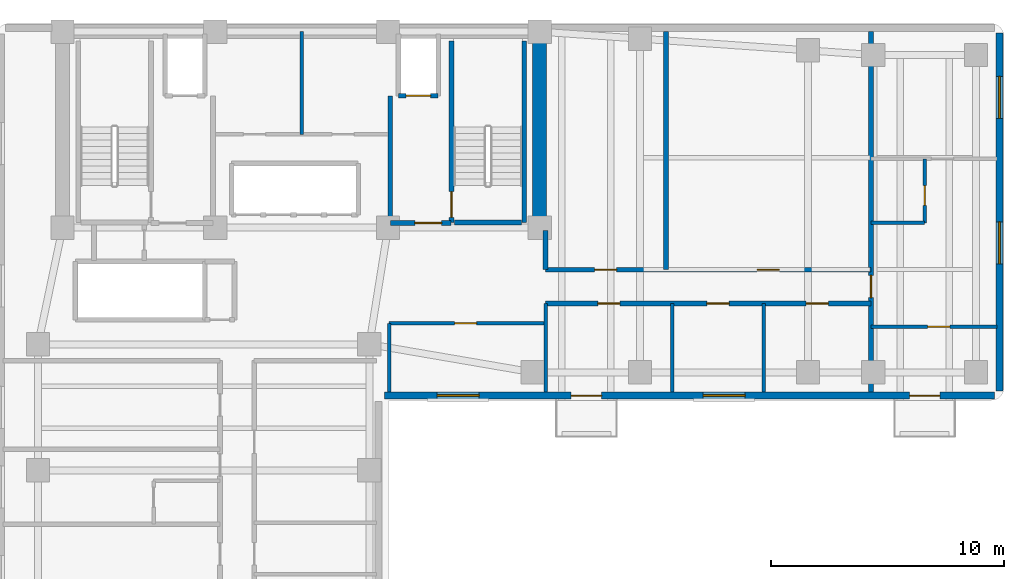
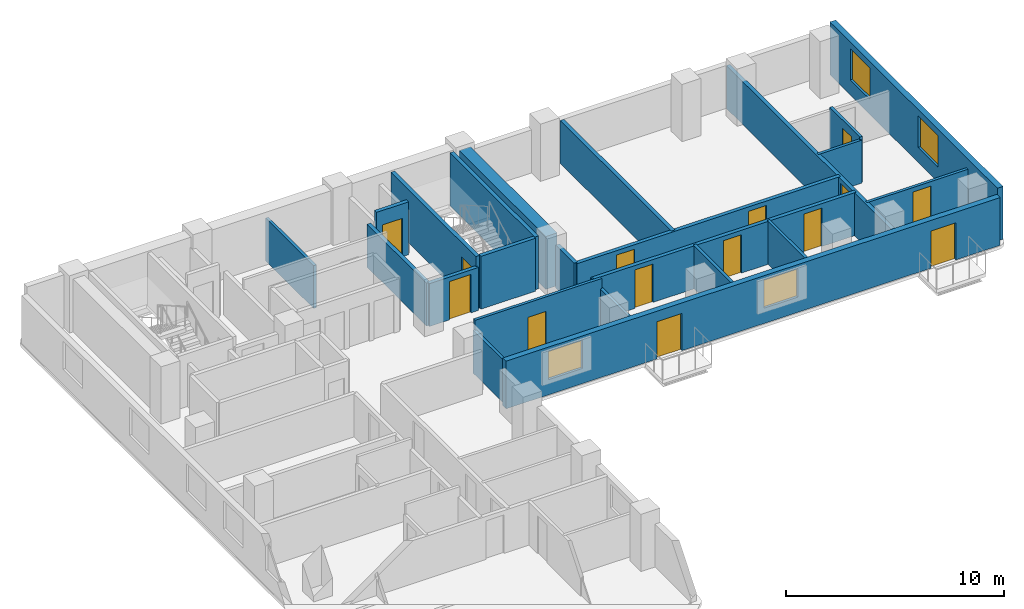
# One storey, part 4 of 7: 23 walls, 14 doors, 4 windows, 18 openings.
"""IFC4 building model written with IfcOpenShell, lengths in metres."""

from ifc_helpers import new_model, si_unit, direction, frame, frame_2d, origin, place, context, subcontext, project, spatial, rectangle, extrude, material, layer, layer_set, type_object, element, fill, save


model = new_model("IFC4")

# Units and contexts
model_context = context("Model", 3, precision=1e-05, world=origin(), true_north=direction((0.0, 1.0)))
body_context = subcontext(model_context, "Body", "Model", "MODEL_VIEW")
ifc_project = project(units=[si_unit("LENGTHUNIT", "METRE"), si_unit("AREAUNIT", "SQUARE_METRE"), si_unit("VOLUMEUNIT", "CUBIC_METRE"), si_unit("PLANEANGLEUNIT", "RADIAN"), si_unit("MASSUNIT", "GRAM", prefix="KILO")], contexts=[model_context])

# Site, building, storey
site_placement = place(None, origin())
site = spatial("IfcSite", under=ifc_project, at=site_placement, CompositionType="ELEMENT")
building_placement = place(site_placement, origin())
building = spatial("IfcBuilding", under=site, at=building_placement, Name="Kuzgunbayir Cultural Tower", CompositionType="ELEMENT")
storey_placement = place(building_placement, frame((0.0, 0.0, 149.0)))
storey = spatial("IfcBuildingStorey", under=building, at=storey_placement, Name="L43", CompositionType="ELEMENT", Elevation=149.0)

# Wall
ifc_material_1 = material(Name="Concrete C60/75", Category="concrete")
ifc_layer_1 = layer(ifc_material_1, 0.60009765625)
ifc_layer_set_1 = layer_set([ifc_layer_1], Name="Concrete C60/75")
wall_type_1 = type_object("IfcWallType", Name="WAL-CORE-600", PredefinedType="SHEAR", material=ifc_layer_set_1)
wall_1_placement = place(storey_placement, frame((26.89990234375, 33.800048828125, 0.0), z_axis=(0.0, 0.0, 1.0), x_axis=(0.0, 1.0, 0.0)))
element("IfcWall", 1, at=wall_1_placement, inside=storey, type_object=wall_type_1, Name="L43 T1 Core East Shear Wall", PredefinedType="SHEAR", context=body_context, shape_type="SweptSolid", body=[
    extrude(rectangle(XDim=7.949951171875, YDim=0.60009765625, at=frame_2d((3.97509765625, 0.0))), origin(), (0.0, 0.0, 1.0), 2.9599609375),
])

# Wall, openings, doors, windows
ifc_material_2 = material(Name="Anatolian Cream Limestone", Category="masonry")
ifc_layer_2 = layer(ifc_material_2, 0.300048828125)
ifc_layer_set_2 = layer_set([ifc_layer_2], Name="Anatolian Cream Limestone")
wall_type_2 = type_object("IfcWallType", Name="WAL-EXT-STONE-300", PredefinedType="STANDARD", material=ifc_layer_set_2)
wall_2_placement = place(storey_placement, frame((20.25, 26.60009765625, 0.0), z_axis=(0.0, 0.0, 1.0), x_axis=(1.0, 0.0, 0.0)))
wall_2 = element("IfcWall", 2, at=wall_2_placement, inside=storey, type_object=wall_type_2, Name="L43 Wing B South Limestone Wall", PredefinedType="STANDARD", context=body_context, shape_type="SweptSolid", body=[
    extrude(rectangle(XDim=26.14990234375, YDim=0.300048828125, at=frame_2d((13.074951171875, 0.0))), origin(), (0.0, 0.0, 1.0), 2.669921875),
])
opening_1_placement = place(wall_2_placement, frame((8.0, 0.0, 0.0)))
opening_1 = element("IfcOpeningElement", 3, at=opening_1_placement, cuts=wall_2, Name="Opening BD-13", PredefinedType="OPENING", context=body_context, shape_type="SweptSolid", body=[
    extrude(rectangle(XDim=1.300048828125, YDim=2.080078125, at=frame_2d((0.64990234375, 1.0400390625))), frame((0.0, 0.16015625, 0.0), z_axis=(0.0, -1.0, 0.0), x_axis=(1.0, 0.0, 0.0)), (0.0, 0.0, 1.0), 0.320068359375),
])
opening_2_placement = place(wall_2_placement, frame((22.5, 0.0, 0.0)))
opening_2 = element("IfcOpeningElement", 4, at=opening_2_placement, cuts=wall_2, Name="Opening BD-13", PredefinedType="OPENING", context=body_context, shape_type="SweptSolid", body=[
    extrude(rectangle(XDim=1.300048828125, YDim=2.080078125, at=frame_2d((0.64990234375, 1.0400390625))), frame((0.0, 0.16015625, 0.0), z_axis=(0.0, -1.0, 0.0), x_axis=(1.0, 0.0, 0.0)), (0.0, 0.0, 1.0), 0.320068359375),
])
opening_3_placement = place(wall_2_placement, frame((2.25, 0.0, 0.85009765625)))
opening_3 = element("IfcOpeningElement", 5, at=opening_3_placement, cuts=wall_2, Name="Opening WH-18", PredefinedType="OPENING", context=body_context, shape_type="SweptSolid", body=[
    extrude(rectangle(XDim=1.800048828125, YDim=1.570068359375, at=frame_2d((0.89990234375, 0.78515625))), frame((0.0, 0.16015625, 0.0), z_axis=(0.0, -1.0, 0.0), x_axis=(1.0, 0.0, 0.0)), (0.0, 0.0, 1.0), 0.320068359375),
])
opening_4_placement = place(wall_2_placement, frame((13.64990234375, 0.0, 0.85009765625)))
opening_4 = element("IfcOpeningElement", 6, at=opening_4_placement, cuts=wall_2, Name="Opening WH-18", PredefinedType="OPENING", context=body_context, shape_type="SweptSolid", body=[
    extrude(rectangle(XDim=1.800048828125, YDim=1.570068359375, at=frame_2d((0.89990234375, 0.78515625))), frame((0.0, 0.16015625, 0.0), z_axis=(0.0, -1.0, 0.0), x_axis=(1.0, 0.0, 0.0)), (0.0, 0.0, 1.0), 0.320068359375),
])
ifc_material_3 = material(Name="Thermally Broken Glazed Aluminium", Category="aluminium")
door_type_1 = type_object("IfcDoorType", Name="DR-BALCONY-135", OperationType="SLIDING_TO_LEFT", PredefinedType="DOOR", material=ifc_material_3)
door_1_placement = place(opening_1_placement, origin())
door_1 = element("IfcDoor", 7, at=door_1_placement, inside=storey, type_object=door_type_1, Name="L43 South Balcony Sliding Door BAL-L43-WB1", OperationType="SLIDING_TO_LEFT", OverallHeight=2.080078125, OverallWidth=1.300048828125, PredefinedType="DOOR", context=body_context, shape_type="SweptSolid", body=[
    extrude(rectangle(XDim=1.300048828125, YDim=2.080078125, at=frame_2d((0.64990234375, 1.0400390625))), frame((0.0, 0.02490234375, 0.0), z_axis=(0.0, -1.0, 0.0), x_axis=(1.0, 0.0, 0.0)), (0.0, 0.0, 1.0), 0.050048828125),
])
fill(opening_1, door_1)
door_2_placement = place(opening_2_placement, origin())
door_2 = element("IfcDoor", 8, at=door_2_placement, inside=storey, type_object=door_type_1, Name="L43 South Balcony Sliding Door BAL-L43-WB3", OperationType="SLIDING_TO_LEFT", OverallHeight=2.080078125, OverallWidth=1.300048828125, PredefinedType="DOOR", context=body_context, shape_type="SweptSolid", body=[
    extrude(rectangle(XDim=1.300048828125, YDim=2.080078125, at=frame_2d((0.64990234375, 1.0400390625))), frame((0.0, 0.02490234375, 0.0), z_axis=(0.0, -1.0, 0.0), x_axis=(1.0, 0.0, 0.0)), (0.0, 0.0, 1.0), 0.050048828125),
])
fill(opening_2, door_2)
ifc_material_4 = material(Name="Solar-Control Triple Glazing", Category="glass")
window_type = type_object("IfcWindowType", Name="WIN-HOTEL-18", PartitioningType="SINGLE_PANEL", PredefinedType="WINDOW", material=ifc_material_4)
window_1_placement = place(opening_3_placement, origin())
window_1 = element("IfcWindow", 9, at=window_1_placement, inside=storey, type_object=window_type, Name="L43 WBS Facade Window 13", OverallHeight=1.570068359375, OverallWidth=1.800048828125, PartitioningType="SINGLE_PANEL", PredefinedType="WINDOW", context=body_context, shape_type="SweptSolid", body=[
    extrude(rectangle(XDim=1.800048828125, YDim=1.570068359375, at=frame_2d((0.89990234375, 0.78515625))), frame((0.0, 0.030029296875, 0.0), z_axis=(0.0, -1.0, 0.0), x_axis=(1.0, 0.0, 0.0)), (0.0, 0.0, 1.0), 0.06005859375),
])
fill(opening_3, window_1)
window_2_placement = place(opening_4_placement, origin())
window_2 = element("IfcWindow", 10, at=window_2_placement, inside=storey, type_object=window_type, Name="L43 WBS Facade Window 14", OverallHeight=1.570068359375, OverallWidth=1.800048828125, PartitioningType="SINGLE_PANEL", PredefinedType="WINDOW", context=body_context, shape_type="SweptSolid", body=[
    extrude(rectangle(XDim=1.800048828125, YDim=1.570068359375, at=frame_2d((0.89990234375, 0.78515625))), frame((0.0, 0.030029296875, 0.0), z_axis=(0.0, -1.0, 0.0), x_axis=(1.0, 0.0, 0.0)), (0.0, 0.0, 1.0), 0.06005859375),
])
fill(opening_4, window_2)

# Wall, openings, windows
wall_3_placement = place(storey_placement, frame((46.60009765625, 26.800048828125, 0.0), z_axis=(0.0, 0.0, 1.0), x_axis=(0.0, 1.0, 0.0)))
wall_3 = element("IfcWall", 11, at=wall_3_placement, inside=storey, type_object=wall_type_2, Name="L43 Wing B East Limestone Wall", PredefinedType="STANDARD", context=body_context, shape_type="SweptSolid", body=[
    extrude(rectangle(XDim=15.349853515625, YDim=0.300048828125, at=frame_2d((7.6748046875, 0.0))), origin(), (0.0, 0.0, 1.0), 2.9599609375),
])
opening_5_placement = place(wall_3_placement, frame((5.449951171875, 0.0, 0.85009765625)))
opening_5 = element("IfcOpeningElement", 12, at=opening_5_placement, cuts=wall_3, Name="Opening WH-18", PredefinedType="OPENING", context=body_context, shape_type="SweptSolid", body=[
    extrude(rectangle(XDim=1.800048828125, YDim=1.75, at=frame_2d((0.89990234375, 0.875))), frame((0.0, 0.16015625, 0.0), z_axis=(0.0, -1.0, 0.0), x_axis=(1.0, 0.0, 0.0)), (0.0, 0.0, 1.0), 0.320068359375),
])
opening_6_placement = place(wall_3_placement, frame((11.679931640625, 0.0, 0.85009765625)))
opening_6 = element("IfcOpeningElement", 13, at=opening_6_placement, cuts=wall_3, Name="Opening WH-18", PredefinedType="OPENING", context=body_context, shape_type="SweptSolid", body=[
    extrude(rectangle(XDim=1.800048828125, YDim=1.75, at=frame_2d((0.89990234375, 0.875))), frame((0.0, 0.16015625, 0.0), z_axis=(0.0, -1.0, 0.0), x_axis=(1.0, 0.0, 0.0)), (0.0, 0.0, 1.0), 0.320068359375),
])
window_3_placement = place(opening_5_placement, origin())
window_3 = element("IfcWindow", 14, at=window_3_placement, inside=storey, type_object=window_type, Name="L43 WBE Facade Window 5", OverallHeight=1.75, OverallWidth=1.800048828125, PartitioningType="SINGLE_PANEL", PredefinedType="WINDOW", context=body_context, shape_type="SweptSolid", body=[
    extrude(rectangle(XDim=1.800048828125, YDim=1.75, at=frame_2d((0.89990234375, 0.875))), frame((0.0, 0.030029296875, 0.0), z_axis=(0.0, -1.0, 0.0), x_axis=(1.0, 0.0, 0.0)), (0.0, 0.0, 1.0), 0.06005859375),
])
fill(opening_5, window_3)
window_4_placement = place(opening_6_placement, origin())
window_4 = element("IfcWindow", 15, at=window_4_placement, inside=storey, type_object=window_type, Name="L43 WBE Facade Window 6", OverallHeight=1.75, OverallWidth=1.800048828125, PartitioningType="SINGLE_PANEL", PredefinedType="WINDOW", context=body_context, shape_type="SweptSolid", body=[
    extrude(rectangle(XDim=1.800048828125, YDim=1.75, at=frame_2d((0.89990234375, 0.875))), frame((0.0, 0.030029296875, 0.0), z_axis=(0.0, -1.0, 0.0), x_axis=(1.0, 0.0, 0.0)), (0.0, 0.0, 1.0), 0.06005859375),
])
fill(opening_6, window_4)

# Wall
ifc_material_5 = material(Name="Acoustic Double-Stud Drywall", Category="gypsum")
ifc_layer_3 = layer(ifc_material_5, 0.14990234375)
ifc_layer_set_3 = layer_set([ifc_layer_3], Name="Acoustic Double-Stud Drywall")
wall_type_3 = type_object("IfcWallType", Name="WAL-PART-ACOUSTIC-150", PredefinedType="PARTITIONING", material=ifc_layer_set_3)
wall_4_placement = place(storey_placement, frame((16.699951171875, 37.800048828125, 0.0), z_axis=(0.0, 0.0, 1.0), x_axis=(0.0, 1.0, 0.0)))
element("IfcWall", 16, at=wall_4_placement, inside=storey, type_object=wall_type_3, Name="L43 Core Study Partition", PredefinedType="PARTITIONING", context=body_context, shape_type="SweptSolid", body=[
    extrude(rectangle(XDim=4.39990234375, YDim=0.14990234375, at=frame_2d((2.199951171875, 0.0))), origin(), (0.0, 0.0, 1.0), 2.39990234375),
])

# Wall, opening, door
wall_5_placement = place(storey_placement, frame((20.449951171875, 29.699951171875, 0.0), z_axis=(0.0, 0.0, 1.0), x_axis=(1.0, 0.0, 0.0)))
wall_5 = element("IfcWall", 17, at=wall_5_placement, inside=storey, type_object=wall_type_3, Name="L43 Waist Alcove North Wall", PredefinedType="PARTITIONING", context=body_context, shape_type="SweptSolid", body=[
    extrude(rectangle(XDim=6.699951171875, YDim=0.14990234375, at=frame_2d((3.35009765625, 0.0))), origin(), (0.0, 0.0, 1.0), 2.9599609375),
])
opening_7_placement = place(wall_5_placement, frame((2.800048828125, 0.0, 0.0)))
opening_7 = element("IfcOpeningElement", 18, at=opening_7_placement, cuts=wall_5, Name="Opening DI-90", PredefinedType="OPENING", context=body_context, shape_type="SweptSolid", body=[
    extrude(rectangle(XDim=0.949951171875, YDim=2.14990234375, at=frame_2d((0.47509765625, 1.074951171875))), frame((0.0, 0.0849609375, 0.0), z_axis=(0.0, -1.0, 0.0), x_axis=(1.0, 0.0, 0.0)), (0.0, 0.0, 1.0), 0.169921875),
])
ifc_material_6 = material(Name="Veneered Oak Single Leaf", Category="wood")
door_type_2 = type_object("IfcDoorType", Name="DR-INT-90", OperationType="NOTDEFINED", PredefinedType="DOOR", material=ifc_material_6)
door_3_placement = place(opening_7_placement, origin())
door_3 = element("IfcDoor", 19, at=door_3_placement, inside=storey, type_object=door_type_2, Name="L43 Waist Alcove Door", OperationType="SINGLE_SWING_RIGHT", OverallHeight=2.14990234375, OverallWidth=0.949951171875, PredefinedType="DOOR", context=body_context, shape_type="SweptSolid", body=[
    extrude(rectangle(XDim=0.949951171875, YDim=2.14990234375, at=frame_2d((0.47509765625, 1.074951171875))), frame((0.0, 0.02490234375, 0.0), z_axis=(0.0, -1.0, 0.0), x_axis=(1.0, 0.0, 0.0)), (0.0, 0.0, 1.0), 0.050048828125),
])
fill(opening_7, door_3)

# Walls
wall_6_placement = place(storey_placement, frame((20.449951171875, 26.75, 0.0), z_axis=(0.0, 0.0, 1.0), x_axis=(0.0, 1.0, 0.0)))
element("IfcWall", 20, at=wall_6_placement, inside=storey, type_object=wall_type_3, Name="L43 Waist Alcove West Wall", PredefinedType="PARTITIONING", context=body_context, shape_type="SweptSolid", body=[
    extrude(rectangle(XDim=2.949951171875, YDim=0.14990234375, at=frame_2d((1.47509765625, 0.0))), origin(), (0.0, 0.0, 1.0), 2.39990234375),
])
for number, where, z_axis, x_axis, name in (
    (21, (27.14990234375, 26.75, 0.0), (0.0, 0.0, 1.0), (0.0, 1.0, 0.0), "L43 Waist Alcove East Wall"),
    (22, (32.590087890625, 26.75, 0.0), (0.0, 0.0, 1.0), (0.0, 1.0, 0.0), "L43 Wing B South Divider 1"),
    (23, (36.5, 26.75, 0.0), (0.0, 0.0, 1.0), (0.0, 1.0, 0.0), "L43 Wing B South Divider 2"),
):
    element("IfcWall", number, at=place(storey_placement, frame(where, z_axis=z_axis, x_axis=x_axis)), inside=storey, type_object=wall_type_3, Name=name, PredefinedType="PARTITIONING", context=body_context, shape_type="SweptSolid", body=[
        extrude(rectangle(XDim=3.800048828125, YDim=0.14990234375, at=frame_2d((1.89990234375, 0.0))), origin(), (0.0, 0.0, 1.0), 2.39990234375),
    ])
ifc_material_7 = material(Name="Aerated Concrete Blockwork", Category="masonry")
ifc_layer_4 = layer(ifc_material_7, 0.199951171875)
ifc_layer_set_4 = layer_set([ifc_layer_4], Name="Aerated Concrete Blockwork")
wall_type_4 = type_object("IfcWallType", Name="WAL-PART-FIRE-200", PredefinedType="PARTITIONING", material=ifc_layer_set_4)
wall_7_placement = place(storey_placement, frame((20.5, 34.0, 0.0), z_axis=(0.0, 0.0, 1.0), x_axis=(0.0, 1.0, 0.0)))
element("IfcWall", 24, at=wall_7_placement, inside=storey, type_object=wall_type_4, Name="L43 FFL-2 Lobby West Fire Wall", PredefinedType="PARTITIONING", context=body_context, shape_type="SweptSolid", body=[
    extrude(rectangle(XDim=5.449951171875, YDim=0.199951171875, at=frame_2d((2.72509765625, 0.0))), origin(), (0.0, 0.0, 1.0), 2.39990234375),
])

# Wall, opening, door
wall_8_placement = place(storey_placement, frame((20.5, 34.0, 0.0), z_axis=(0.0, 0.0, 1.0), x_axis=(1.0, 0.0, 0.0)))
wall_8 = element("IfcWall", 25, at=wall_8_placement, inside=storey, type_object=wall_type_4, Name="L43 FFL-2 Lobby South Fire Wall", PredefinedType="PARTITIONING", context=body_context, shape_type="SweptSolid", body=[
    extrude(rectangle(XDim=2.60009765625, YDim=0.199951171875, at=frame_2d((1.300048828125, 0.0))), origin(), (0.0, 0.0, 1.0), 2.39990234375),
])
opening_8_placement = place(wall_8_placement, frame((1.050048828125, 0.0, 0.0)))
opening_8 = element("IfcOpeningElement", 26, at=opening_8_placement, cuts=wall_8, Name="Opening DR-FFL-90", PredefinedType="OPENING", context=body_context, shape_type="SweptSolid", body=[
    extrude(rectangle(XDim=1.14990234375, YDim=2.14990234375, at=frame_2d((0.574951171875, 1.074951171875))), frame((0.0, 0.10986328125, 0.0), z_axis=(0.0, -1.0, 0.0), x_axis=(1.0, 0.0, 0.0)), (0.0, 0.0, 1.0), 0.219970703125),
])
ifc_material_8 = material(Name="Steel S355J2", Category="steel")
door_type_3 = type_object("IfcDoorType", Name="DR-FFL-90", OperationType="NOTDEFINED", PredefinedType="DOOR", material=ifc_material_8)
door_4_placement = place(opening_8_placement, origin())
door_4 = element("IfcDoor", 27, at=door_4_placement, inside=storey, type_object=door_type_3, Name="L43 Firefighting Lobby 2 Door", OperationType="SINGLE_SWING_RIGHT", OverallHeight=2.14990234375, OverallWidth=1.14990234375, PredefinedType="DOOR", context=body_context, shape_type="SweptSolid", body=[
    extrude(rectangle(XDim=1.14990234375, YDim=2.14990234375, at=frame_2d((0.574951171875, 1.074951171875))), frame((0.0, 0.02490234375, 0.0), z_axis=(0.0, -1.0, 0.0), x_axis=(1.0, 0.0, 0.0)), (0.0, 0.0, 1.0), 0.050048828125),
])
fill(opening_8, door_4)

# Wall, openings, doors
wall_9_placement = place(storey_placement, frame((27.14990234375, 30.550048828125, 0.0), z_axis=(0.0, 0.0, 1.0), x_axis=(1.0, 0.0, 0.0)))
wall_9 = element("IfcWall", 28, at=wall_9_placement, inside=storey, type_object=wall_type_4, Name="L43 Wing B Hotel Corridor South Wall", PredefinedType="PARTITIONING", context=body_context, shape_type="SweptSolid", body=[
    extrude(rectangle(XDim=13.9501953125, YDim=0.199951171875, at=frame_2d((6.97509765625, 0.0))), origin(), (0.0, 0.0, 1.0), 2.39990234375),
])
opening_9_placement = place(wall_9_placement, frame((2.239990234375, 0.0, 0.0)))
opening_9 = element("IfcOpeningElement", 29, at=opening_9_placement, cuts=wall_9, Name="Opening DI-90", PredefinedType="OPENING", context=body_context, shape_type="SweptSolid", body=[
    extrude(rectangle(XDim=0.949951171875, YDim=2.14990234375, at=frame_2d((0.47509765625, 1.074951171875))), frame((0.0, 0.10986328125, 0.0), z_axis=(0.0, -1.0, 0.0), x_axis=(1.0, 0.0, 0.0)), (0.0, 0.0, 1.0), 0.219970703125),
])
opening_10_placement = place(wall_9_placement, frame((6.919921875, 0.0, 0.0)))
opening_10 = element("IfcOpeningElement", 30, at=opening_10_placement, cuts=wall_9, Name="Opening DI-90", PredefinedType="OPENING", context=body_context, shape_type="SweptSolid", body=[
    extrude(rectangle(XDim=0.949951171875, YDim=2.14990234375, at=frame_2d((0.47509765625, 1.074951171875))), frame((0.0, 0.10986328125, 0.0), z_axis=(0.0, -1.0, 0.0), x_axis=(1.0, 0.0, 0.0)), (0.0, 0.0, 1.0), 0.219970703125),
])
opening_11_placement = place(wall_9_placement, frame((11.169921875, 0.0, 0.0)))
opening_11 = element("IfcOpeningElement", 31, at=opening_11_placement, cuts=wall_9, Name="Opening DI-90", PredefinedType="OPENING", context=body_context, shape_type="SweptSolid", body=[
    extrude(rectangle(XDim=0.949951171875, YDim=2.14990234375, at=frame_2d((0.47509765625, 1.074951171875))), frame((0.0, 0.10986328125, 0.0), z_axis=(0.0, -1.0, 0.0), x_axis=(1.0, 0.0, 0.0)), (0.0, 0.0, 1.0), 0.219970703125),
])
door_5_placement = place(opening_9_placement, origin())
door_5 = element("IfcDoor", 32, at=door_5_placement, inside=storey, type_object=door_type_2, Name="L43 Seminar Boardroom B1 Door", OperationType="SINGLE_SWING_LEFT", OverallHeight=2.14990234375, OverallWidth=0.949951171875, PredefinedType="DOOR", context=body_context, shape_type="SweptSolid", body=[
    extrude(rectangle(XDim=0.949951171875, YDim=2.14990234375, at=frame_2d((0.47509765625, 1.074951171875))), frame((0.0, 0.02490234375, 0.0), z_axis=(0.0, -1.0, 0.0), x_axis=(1.0, 0.0, 0.0)), (0.0, 0.0, 1.0), 0.050048828125),
])
fill(opening_9, door_5)
door_6_placement = place(opening_10_placement, origin())
door_6 = element("IfcDoor", 33, at=door_6_placement, inside=storey, type_object=door_type_2, Name="L43 Seminar Boardroom B2 Door", OperationType="SINGLE_SWING_RIGHT", OverallHeight=2.14990234375, OverallWidth=0.949951171875, PredefinedType="DOOR", context=body_context, shape_type="SweptSolid", body=[
    extrude(rectangle(XDim=0.949951171875, YDim=2.14990234375, at=frame_2d((0.47509765625, 1.074951171875))), frame((0.0, 0.02490234375, 0.0), z_axis=(0.0, -1.0, 0.0), x_axis=(1.0, 0.0, 0.0)), (0.0, 0.0, 1.0), 0.050048828125),
])
fill(opening_10, door_6)
door_7_placement = place(opening_11_placement, origin())
door_7 = element("IfcDoor", 34, at=door_7_placement, inside=storey, type_object=door_type_2, Name="L43 Seminar Boardroom B3 Door", OperationType="SINGLE_SWING_LEFT", OverallHeight=2.14990234375, OverallWidth=0.949951171875, PredefinedType="DOOR", context=body_context, shape_type="SweptSolid", body=[
    extrude(rectangle(XDim=0.949951171875, YDim=2.14990234375, at=frame_2d((0.47509765625, 1.074951171875))), frame((0.0, 0.02490234375, 0.0), z_axis=(0.0, -1.0, 0.0), x_axis=(1.0, 0.0, 0.0)), (0.0, 0.0, 1.0), 0.050048828125),
])
fill(opening_11, door_7)

wall_10_placement = place(storey_placement, frame((27.14990234375, 32.0, 0.0), z_axis=(0.0, 0.0, 1.0), x_axis=(1.0, 0.0, 0.0)))
wall_10 = element("IfcWall", 35, at=wall_10_placement, inside=storey, type_object=wall_type_4, Name="L43 Wing B Hotel Corridor North Wall", PredefinedType="PARTITIONING", context=body_context, shape_type="SweptSolid", body=[
    extrude(rectangle(XDim=13.9501953125, YDim=0.199951171875, at=frame_2d((6.97509765625, 0.0))), origin(), (0.0, 0.0, 1.0), 2.39990234375),
])
opening_12_placement = place(wall_10_placement, frame((2.10009765625, 0.0, 0.0)))
opening_12 = element("IfcOpeningElement", 36, at=opening_12_placement, cuts=wall_10, Name="Opening DI-90", PredefinedType="OPENING", context=body_context, shape_type="SweptSolid", body=[
    extrude(rectangle(XDim=0.949951171875, YDim=2.14990234375, at=frame_2d((0.47509765625, 1.074951171875))), frame((0.0, 0.10986328125, 0.0), z_axis=(0.0, -1.0, 0.0), x_axis=(1.0, 0.0, 0.0)), (0.0, 0.0, 1.0), 0.219970703125),
])
opening_13_placement = place(wall_10_placement, frame((9.070068359375, 0.0, 0.0)))
opening_13 = element("IfcOpeningElement", 37, at=opening_13_placement, cuts=wall_10, Name="Opening DI-90", PredefinedType="OPENING", context=body_context, shape_type="SweptSolid", body=[
    extrude(rectangle(XDim=0.949951171875, YDim=2.14990234375, at=frame_2d((0.47509765625, 1.074951171875))), frame((0.0, 0.10986328125, 0.0), z_axis=(0.0, -1.0, 0.0), x_axis=(1.0, 0.0, 0.0)), (0.0, 0.0, 1.0), 0.219970703125),
])
door_8_placement = place(opening_12_placement, origin())
door_8 = element("IfcDoor", 38, at=door_8_placement, inside=storey, type_object=door_type_2, Name="L43 North Seminar Boardroom 1 Door", OperationType="SINGLE_SWING_RIGHT", OverallHeight=2.14990234375, OverallWidth=0.949951171875, PredefinedType="DOOR", context=body_context, shape_type="SweptSolid", body=[
    extrude(rectangle(XDim=0.949951171875, YDim=2.14990234375, at=frame_2d((0.47509765625, 1.074951171875))), frame((0.0, 0.02490234375, 0.0), z_axis=(0.0, -1.0, 0.0), x_axis=(1.0, 0.0, 0.0)), (0.0, 0.0, 1.0), 0.050048828125),
])
fill(opening_12, door_8)
door_9_placement = place(opening_13_placement, origin())
door_9 = element("IfcDoor", 39, at=door_9_placement, inside=storey, type_object=door_type_2, Name="L43 North Culinary Tasting Pantry 2 Door", OperationType="SINGLE_SWING_LEFT", OverallHeight=2.14990234375, OverallWidth=0.949951171875, PredefinedType="DOOR", context=body_context, shape_type="SweptSolid", body=[
    extrude(rectangle(XDim=0.949951171875, YDim=2.14990234375, at=frame_2d((0.47509765625, 1.074951171875))), frame((0.0, 0.02490234375, 0.0), z_axis=(0.0, -1.0, 0.0), x_axis=(1.0, 0.0, 0.0)), (0.0, 0.0, 1.0), 0.050048828125),
])
fill(opening_13, door_9)

# Wall
wall_11_placement = place(storey_placement, frame((27.14990234375, 32.0, 0.0), z_axis=(0.0, 0.0, 1.0), x_axis=(0.0, 1.0, 0.0)))
element("IfcWall", 40, at=wall_11_placement, inside=storey, type_object=wall_type_4, Name="L43 Wing B North Core Closure Wall", PredefinedType="PARTITIONING", context=body_context, shape_type="SweptSolid", body=[
    extrude(rectangle(XDim=1.679931640625, YDim=0.199951171875, at=frame_2d((0.83984375, 0.0))), origin(), (0.0, 0.0, 1.0), 2.39990234375),
])

# Wall, opening, door
wall_12_placement = place(storey_placement, frame((41.10009765625, 26.75, 0.0), z_axis=(0.0, 0.0, 1.0), x_axis=(0.0, 1.0, 0.0)))
wall_12 = element("IfcWall", 41, at=wall_12_placement, inside=storey, type_object=wall_type_4, Name="L43 Wing B East Suite Wall", PredefinedType="PARTITIONING", context=body_context, shape_type="SweptSolid", body=[
    extrude(rectangle(XDim=15.449951171875, YDim=0.199951171875, at=frame_2d((7.72509765625, 0.0))), origin(), (0.0, 0.0, 1.0), 2.39990234375),
])
opening_14_placement = place(wall_12_placement, frame((4.050048828125, 0.0, 0.0)))
opening_14 = element("IfcOpeningElement", 42, at=opening_14_placement, cuts=wall_12, Name="Opening DR-APT-60", PredefinedType="OPENING", context=body_context, shape_type="SweptSolid", body=[
    extrude(rectangle(XDim=0.949951171875, YDim=2.14990234375, at=frame_2d((0.47509765625, 1.074951171875))), frame((0.0, 0.10986328125, 0.0), z_axis=(0.0, -1.0, 0.0), x_axis=(1.0, 0.0, 0.0)), (0.0, 0.0, 1.0), 0.219970703125),
])
ifc_material_9 = material(Name="Acoustic Fire Timber Leaf", Category="wood")
door_type_4 = type_object("IfcDoorType", Name="DR-APT-60", OperationType="NOTDEFINED", PredefinedType="DOOR", material=ifc_material_9)
door_10_placement = place(opening_14_placement, origin())
door_10 = element("IfcDoor", 43, at=door_10_placement, inside=storey, type_object=door_type_4, Name="L43 Corner Suite Entrance", OperationType="SINGLE_SWING_LEFT", OverallHeight=2.14990234375, OverallWidth=0.949951171875, PredefinedType="DOOR", context=body_context, shape_type="SweptSolid", body=[
    extrude(rectangle(XDim=0.949951171875, YDim=2.14990234375, at=frame_2d((0.47509765625, 1.074951171875))), frame((0.0, 0.02490234375, 0.0), z_axis=(0.0, -1.0, 0.0), x_axis=(1.0, 0.0, 0.0)), (0.0, 0.0, 1.0), 0.050048828125),
])
fill(opening_14, door_10)

# Wall
wall_13_placement = place(storey_placement, frame((32.31005859375, 32.0, 0.0), z_axis=(0.0, 0.0, 1.0), x_axis=(0.0, 1.0, 0.0)))
element("IfcWall", 44, at=wall_13_placement, inside=storey, type_object=wall_type_4, Name="L43 Wing B North Party Wall 1", PredefinedType="PARTITIONING", context=body_context, shape_type="SweptSolid", body=[
    extrude(rectangle(XDim=10.199951171875, YDim=0.199951171875, at=frame_2d((5.10009765625, 0.0))), origin(), (0.0, 0.0, 1.0), 2.39990234375),
])

# Wall, opening, door
ifc_material_10 = material(Name="Moisture-Resistant Tile Partition", Category="gypsum")
ifc_layer_5 = layer(ifc_material_10, 0.14990234375)
ifc_layer_set_5 = layer_set([ifc_layer_5], Name="Moisture-Resistant Tile Partition")
wall_type_5 = type_object("IfcWallType", Name="WAL-PART-WET-150", PredefinedType="PARTITIONING", material=ifc_layer_set_5)
wall_14_placement = place(storey_placement, frame((41.10009765625, 29.550048828125, 0.0), z_axis=(0.0, 0.0, 1.0), x_axis=(1.0, 0.0, 0.0)))
wall_14 = element("IfcWall", 45, at=wall_14_placement, inside=storey, type_object=wall_type_5, Name="L43 Corner Suite Kitchen Wall", PredefinedType="PARTITIONING", context=body_context, shape_type="SweptSolid", body=[
    extrude(rectangle(XDim=5.39990234375, YDim=0.14990234375, at=frame_2d((2.699951171875, 0.0))), origin(), (0.0, 0.0, 1.0), 2.39990234375),
])
opening_15_placement = place(wall_14_placement, frame((2.429931640625, 0.0, 0.0)))
opening_15 = element("IfcOpeningElement", 46, at=opening_15_placement, cuts=wall_14, Name="Opening DI-90", PredefinedType="OPENING", context=body_context, shape_type="SweptSolid", body=[
    extrude(rectangle(XDim=0.949951171875, YDim=2.14990234375, at=frame_2d((0.47509765625, 1.074951171875))), frame((0.0, 0.0849609375, 0.0), z_axis=(0.0, -1.0, 0.0), x_axis=(1.0, 0.0, 0.0)), (0.0, 0.0, 1.0), 0.169921875),
])
door_11_placement = place(opening_15_placement, origin())
door_11 = element("IfcDoor", 47, at=door_11_placement, inside=storey, type_object=door_type_2, Name="L43 Corner Suite Kitchen Door", OperationType="SINGLE_SWING_RIGHT", OverallHeight=2.14990234375, OverallWidth=0.949951171875, PredefinedType="DOOR", context=body_context, shape_type="SweptSolid", body=[
    extrude(rectangle(XDim=0.949951171875, YDim=2.14990234375, at=frame_2d((0.47509765625, 1.074951171875))), frame((0.0, 0.02490234375, 0.0), z_axis=(0.0, -1.0, 0.0), x_axis=(1.0, 0.0, 0.0)), (0.0, 0.0, 1.0), 0.050048828125),
])
fill(opening_15, door_11)

# Wall
wall_15_placement = place(storey_placement, frame((41.10009765625, 34.0, 0.0), z_axis=(0.0, 0.0, 1.0), x_axis=(1.0, 0.0, 0.0)))
element("IfcWall", 48, at=wall_15_placement, inside=storey, type_object=wall_type_5, Name="L43 Corner Suite Bath South Wall", PredefinedType="PARTITIONING", context=body_context, shape_type="SweptSolid", body=[
    extrude(rectangle(XDim=2.2998046875, YDim=0.14990234375, at=frame_2d((1.14990234375, 0.0))), origin(), (0.0, 0.0, 1.0), 2.39990234375),
])

# Wall, opening, door
wall_16_placement = place(storey_placement, frame((43.39990234375, 34.0, 0.0), z_axis=(0.0, 0.0, 1.0), x_axis=(0.0, 1.0, 0.0)))
wall_16 = element("IfcWall", 49, at=wall_16_placement, inside=storey, type_object=wall_type_5, Name="L43 Corner Suite Bath East Wall", PredefinedType="PARTITIONING", context=body_context, shape_type="SweptSolid", body=[
    extrude(rectangle(XDim=2.75, YDim=0.14990234375, at=frame_2d((1.375, 0.0))), origin(), (0.0, 0.0, 1.0), 2.550048828125),
])
opening_16_placement = place(wall_16_placement, frame((0.75, 0.0, 0.0)))
opening_16 = element("IfcOpeningElement", 50, at=opening_16_placement, cuts=wall_16, Name="Opening DW-85", PredefinedType="OPENING", context=body_context, shape_type="SweptSolid", body=[
    extrude(rectangle(XDim=0.85009765625, YDim=2.10009765625, at=frame_2d((0.425048828125, 1.050048828125))), frame((0.0, 0.0849609375, 0.0), z_axis=(0.0, -1.0, 0.0), x_axis=(1.0, 0.0, 0.0)), (0.0, 0.0, 1.0), 0.169921875),
])
ifc_material_11 = material(Name="Laminate Moisture-Resistant Leaf", Category="wood")
door_type_5 = type_object("IfcDoorType", Name="DR-WET-85", OperationType="NOTDEFINED", PredefinedType="DOOR", material=ifc_material_11)
door_12_placement = place(opening_16_placement, origin())
door_12 = element("IfcDoor", 51, at=door_12_placement, inside=storey, type_object=door_type_5, Name="L43 Corner Suite Bathroom Door", OperationType="SINGLE_SWING_LEFT", OverallHeight=2.10009765625, OverallWidth=0.85009765625, PredefinedType="DOOR", context=body_context, shape_type="SweptSolid", body=[
    extrude(rectangle(XDim=0.85009765625, YDim=2.10009765625, at=frame_2d((0.425048828125, 1.050048828125))), frame((0.0, 0.02490234375, 0.0), z_axis=(0.0, -1.0, 0.0), x_axis=(1.0, 0.0, 0.0)), (0.0, 0.0, 1.0), 0.050048828125),
])
fill(opening_16, door_12)

ifc_material_12 = material(Name="Concrete C40/50", Category="concrete")
ifc_layer_6 = layer(ifc_material_12, 0.199951171875)
ifc_layer_set_6 = layer_set([ifc_layer_6], Name="Concrete C40/50")
wall_type_6 = type_object("IfcWallType", Name="WAL-SHAFT-200", PredefinedType="MOVABLE", material=ifc_layer_set_6)
wall_17_placement = place(storey_placement, frame((20.85009765625, 39.449951171875, 0.0), z_axis=(0.0, 0.0, 1.0), x_axis=(1.0, 0.0, 0.0)))
wall_17 = element("IfcWall", 52, at=wall_17_placement, inside=storey, type_object=wall_type_6, Name="L43 FFL-2 Lift Front Wall", PredefinedType="MOVABLE", context=body_context, shape_type="SweptSolid", body=[
    extrude(rectangle(XDim=1.699951171875, YDim=0.199951171875, at=frame_2d((0.85009765625, 0.0))), origin(), (0.0, 0.0, 1.0), 2.9599609375),
])
opening_17_placement = place(wall_17_placement, frame((0.320068359375, 0.0, 0.0)))
opening_17 = element("IfcOpeningElement", 53, at=opening_17_placement, cuts=wall_17, Name="Opening LD", PredefinedType="OPENING", context=body_context, shape_type="SweptSolid", body=[
    extrude(rectangle(XDim=1.050048828125, YDim=2.14990234375, at=frame_2d((0.52490234375, 1.074951171875))), frame((0.0, 0.10986328125, 0.0), z_axis=(0.0, -1.0, 0.0), x_axis=(1.0, 0.0, 0.0)), (0.0, 0.0, 1.0), 0.219970703125),
])
ifc_material_13 = material(Name="Brushed Stainless Steel", Category="steel")
door_type_6 = type_object("IfcDoorType", Name="DR-LIFT-LANDING", OperationType="SLIDING_TO_LEFT", PredefinedType="DOOR", material=ifc_material_13)
door_13_placement = place(opening_17_placement, origin())
door_13 = element("IfcDoor", 54, at=door_13_placement, inside=storey, type_object=door_type_6, Name="L43 Lift FFL-2 Landing Door", OperationType="SLIDING_TO_LEFT", OverallHeight=2.14990234375, OverallWidth=1.050048828125, PredefinedType="DOOR", context=body_context, shape_type="SweptSolid", body=[
    extrude(rectangle(XDim=1.050048828125, YDim=2.14990234375, at=frame_2d((0.52490234375, 1.074951171875))), frame((0.0, 0.02490234375, 0.0), z_axis=(0.0, -1.0, 0.0), x_axis=(1.0, 0.0, 0.0)), (0.0, 0.0, 1.0), 0.050048828125),
])
fill(opening_17, door_13)

ifc_layer_7 = layer(ifc_material_12, 0.199951171875)
ifc_layer_set_7 = layer_set([ifc_layer_7], Name="Concrete C40/50")
wall_type_7 = type_object("IfcWallType", Name="WAL-STAIR-RC-200", PredefinedType="SHEAR", material=ifc_layer_set_7)
wall_18_placement = place(storey_placement, frame((23.1201171875, 34.02001953125, 0.0), z_axis=(0.0, 0.0, 1.0), x_axis=(0.0, 1.0, 0.0)))
wall_18 = element("IfcWall", 55, at=wall_18_placement, inside=storey, type_object=wall_type_7, Name="L43 Stair ST-2 West Structural Wall", PredefinedType="SHEAR", context=body_context, shape_type="SweptSolid", body=[
    extrude(rectangle(XDim=7.780029296875, YDim=0.199951171875, at=frame_2d((3.89013671875, 0.0))), origin(), (0.0, 0.0, 1.0), 2.9599609375),
])
opening_18_placement = place(wall_18_placement, frame((0.219970703125, 0.0, 0.0)))
opening_18 = element("IfcOpeningElement", 56, at=opening_18_placement, cuts=wall_18, Name="Opening DR-STAIR-90", PredefinedType="OPENING", context=body_context, shape_type="SweptSolid", body=[
    extrude(rectangle(XDim=1.10009765625, YDim=2.14990234375, at=frame_2d((0.550048828125, 1.074951171875))), frame((0.0, 0.10986328125, 0.0), z_axis=(0.0, -1.0, 0.0), x_axis=(1.0, 0.0, 0.0)), (0.0, 0.0, 1.0), 0.219970703125),
])
door_type_7 = type_object("IfcDoorType", Name="DR-STAIR-90", OperationType="NOTDEFINED", PredefinedType="DOOR", material=ifc_material_8)
door_14_placement = place(opening_18_placement, origin())
door_14 = element("IfcDoor", 57, at=door_14_placement, inside=storey, type_object=door_type_7, Name="L43 Stair ST-2 Fire Door", OperationType="SINGLE_SWING_LEFT", OverallHeight=2.14990234375, OverallWidth=1.10009765625, PredefinedType="DOOR", context=body_context, shape_type="SweptSolid", body=[
    extrude(rectangle(XDim=1.10009765625, YDim=2.14990234375, at=frame_2d((0.550048828125, 1.074951171875))), frame((0.0, 0.02490234375, 0.0), z_axis=(0.0, -1.0, 0.0), x_axis=(1.0, 0.0, 0.0)), (0.0, 0.0, 1.0), 0.050048828125),
])
fill(opening_18, door_14)

# Walls
wall_19_placement = place(storey_placement, frame((26.239990234375, 34.02001953125, 0.0), z_axis=(0.0, 0.0, 1.0), x_axis=(0.0, 1.0, 0.0)))
element("IfcWall", 58, at=wall_19_placement, inside=storey, type_object=wall_type_7, Name="L43 Stair ST-2 East Structural Wall", PredefinedType="SHEAR", context=body_context, shape_type="SweptSolid", body=[
    extrude(rectangle(XDim=7.780029296875, YDim=0.199951171875, at=frame_2d((3.89013671875, 0.0))), origin(), (0.0, 0.0, 1.0), 2.9599609375),
])
wall_20_placement = place(storey_placement, frame((23.239990234375, 34.02001953125, 0.0), z_axis=(0.0, 0.0, 1.0), x_axis=(1.0, 0.0, 0.0)))
element("IfcWall", 59, at=wall_20_placement, inside=storey, type_object=wall_type_7, Name="L43 Stair ST-2 South Structural Wall", PredefinedType="SHEAR", context=body_context, shape_type="SweptSolid", body=[
    extrude(rectangle(XDim=2.880126953125, YDim=0.199951171875, at=frame_2d((1.43994140625, 0.0))), origin(), (0.0, 0.0, 1.0), 2.9599609375),
])

save(model, "model.ifc")
